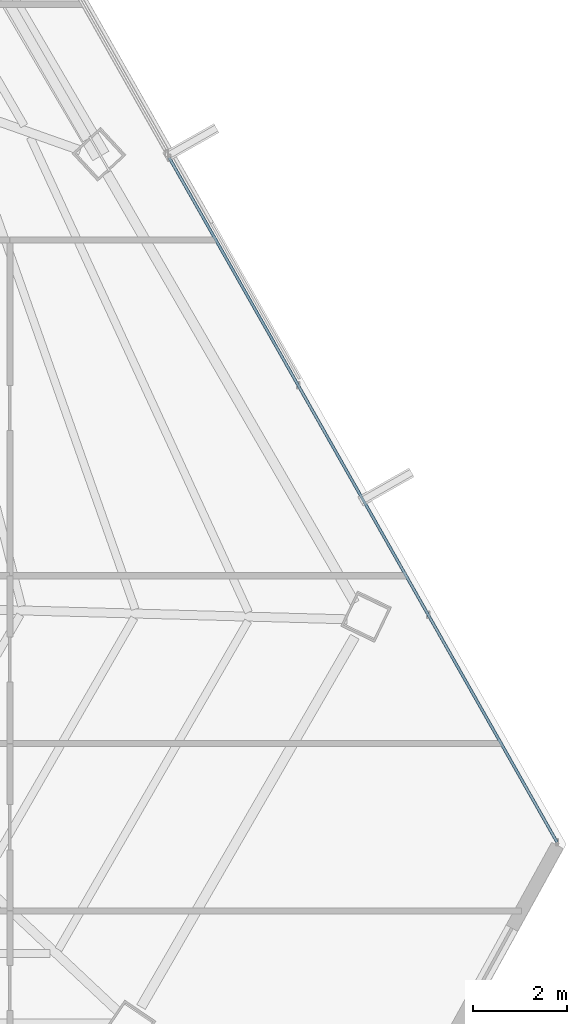
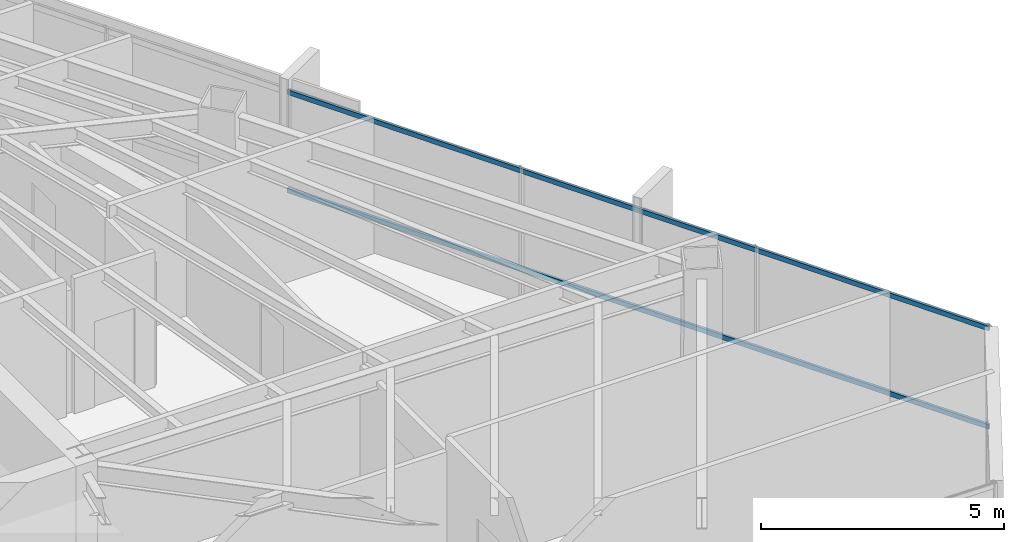
# One storey, part 23 of 42: 2 members, 1 element without a shape of its own.
"""IFC4 building model written with IfcOpenShell, lengths in metres."""

import ifcopenshell
import ifcopenshell.guid

model = None  # the IFC model being written
_history = None  # IfcOwnerHistory: only IFC2X3 demands one
_inside = {}  # id of a spatial element -> (the spatial element, [elements in it])
_under = {}  # id of a project, library or spatial element -> (it, [spatial elements below it])
_declared = {}  # id of a project -> (the project, [libraries it declares])
_typed = {}  # id of a type object -> (the type object, [elements of that type])
_made_of = {}  # id of a material, layer set ... -> (it, [elements and type objects made of it])


def new_model(schema):
    """Start an empty IFC model of exactly this schema.

    Asked for "IFC4X3", IfcOpenShell would pick the latest addendum, in which some entities
    have other attributes; the version numbers below select the first issue.
    IFC2X3 requires an IfcOwnerHistory on every rooted entity: one is made here for all.
    """
    global model, _history
    if schema == "IFC4X3":
        model = ifcopenshell.file(schema_version=(4, 3, 0, 0))
    else:
        model = ifcopenshell.file(schema=schema)
    _inside.clear()
    _under.clear()
    _declared.clear()
    _typed.clear()
    _made_of.clear()
    _history = None
    if model.schema == "IFC2X3":
        org = make("IfcOrganization", Name="unknown")
        user = make(
            "IfcPersonAndOrganization",
            ThePerson=make("IfcPerson", FamilyName="unknown"),
            TheOrganization=org,
        )
        app = make(
            "IfcApplication",
            ApplicationDeveloper=org,
            Version="unknown",
            ApplicationFullName="unknown",
            ApplicationIdentifier="unknown",
        )
        _history = make(
            "IfcOwnerHistory",
            OwningUser=user,
            OwningApplication=app,
            ChangeAction="ADDED",
            CreationDate=0,
        )
    return model


def make(cls, **values):
    """One entity of the class cls with the attributes given. An attribute that is None is left unset."""
    return model.create_entity(
        cls, **{name: value for name, value in values.items() if value is not None}
    )


def rooted(cls, **values):
    """An entity with a GlobalId (a new one), such as an element, a storey or a relation."""
    return make(cls, GlobalId=ifcopenshell.guid.new(), OwnerHistory=_history, **values)


def si_unit(unit_type, name, prefix=None):
    """IfcSIUnit, for example si_unit("LENGTHUNIT", "METRE", prefix="MILLI")."""
    return make("IfcSIUnit", UnitType=unit_type, Prefix=prefix, Name=name)


def assignment(units):
    """IfcUnitAssignment: the units of a project."""
    return None if units is None else make("IfcUnitAssignment", Units=units)


def point(xyz):
    """IfcCartesianPoint."""
    return None if xyz is None else make("IfcCartesianPoint", Coordinates=xyz)


def direction(xyz):
    """IfcDirection."""
    return None if xyz is None else make("IfcDirection", DirectionRatios=xyz)


def frame(location, z_axis=None, x_axis=None):
    """IfcAxis2Placement3D, a coordinate frame: its origin and axes. An axis left out is left unset."""
    return make(
        "IfcAxis2Placement3D",
        Location=point(location),
        Axis=direction(z_axis),
        RefDirection=direction(x_axis),
    )


def frame_2d(location, x_axis=None):
    """IfcAxis2Placement2D, a coordinate frame in the plane: its origin and x axis."""
    return make(
        "IfcAxis2Placement2D", Location=point(location), RefDirection=direction(x_axis)
    )


def origin():
    """The frame at (0, 0, 0) with its axes left unset."""
    return frame((0.0, 0.0, 0.0))


def origin_2d():
    """The frame at (0, 0) in the plane with its x axis left unset."""
    return frame_2d((0.0, 0.0))


def place(relative_to, where):
    """IfcLocalPlacement: puts the frame where relative to a parent placement (None: the world)."""
    return make(
        "IfcLocalPlacement", PlacementRelTo=relative_to, RelativePlacement=where
    )


def context(
    kind, dimensions, precision=None, world=None, true_north=None, identifier=None
):
    """IfcGeometricRepresentationContext, for example the 3D "Model" context."""
    return make(
        "IfcGeometricRepresentationContext",
        ContextIdentifier=identifier,
        ContextType=kind,
        CoordinateSpaceDimension=dimensions,
        Precision=precision,
        WorldCoordinateSystem=world,
        TrueNorth=true_north,
    )


def subcontext(parent, identifier, kind, view, scale=None):
    """IfcGeometricRepresentationSubContext, for example "Body" below "Model"."""
    return make(
        "IfcGeometricRepresentationSubContext",
        ContextIdentifier=identifier,
        ContextType=kind,
        ParentContext=parent,
        TargetScale=scale,
        TargetView=view,
    )


def project(units=None, contexts=None):
    """IfcProject with its units and contexts."""
    return rooted(
        "IfcProject",
        Name="project",
        RepresentationContexts=contexts,
        UnitsInContext=assignment(units),
    )


def spatial(cls, under=None, at=None, **own):
    """A site, building, storey or space (cls), placed at a placement, below another one or the project."""
    s = rooted(cls, ObjectPlacement=at, **own)
    if under is not None:
        _under.setdefault(under.id(), (under, []))[1].append(s)
    return s


def profile(cls, at=None, kind="AREA", **sizes):
    """A parametric profile (cls). Its sizes go by their IFC names, for example OverallWidth=200.0."""
    return make(cls, ProfileType=kind, Position=at, **sizes)


def hollow_rectangle(**sizes):
    """IfcRectangleHollowProfileDef."""
    return profile("IfcRectangleHollowProfileDef", **sizes)


def extrude(swept, where, along, depth):
    """IfcExtrudedAreaSolid: the profile swept, set in the frame where, extruded along a direction by depth."""
    return make(
        "IfcExtrudedAreaSolid",
        SweptArea=swept,
        Position=where,
        ExtrudedDirection=direction(along),
        Depth=depth,
    )


def shape(context_of_items, identifier, shape_type, items):
    """IfcShapeRepresentation: the items that make up one representation, for example the "Body"."""
    return make(
        "IfcShapeRepresentation",
        ContextOfItems=context_of_items,
        RepresentationIdentifier=identifier,
        RepresentationType=shape_type,
        Items=items,
    )


def source(mapping_origin, context_of_items, identifier, shape_type, items):
    """IfcRepresentationMap: a shape defined once, which mapped items show again and again."""
    return make(
        "IfcRepresentationMap",
        MappingOrigin=mapping_origin,
        MappedRepresentation=shape(context_of_items, identifier, shape_type, items),
    )


def transform(
    local_origin,
    x_axis=None,
    y_axis=None,
    z_axis=None,
    scale=None,
    scale2=None,
    scale3=None,
    uniform=True,
):
    """IfcCartesianTransformationOperator3D, or its non-uniform kind. x_axis, y_axis, z_axis: its Axis1, 2, 3."""
    if uniform:
        return make(
            "IfcCartesianTransformationOperator3D",
            Axis1=direction(x_axis),
            Axis2=direction(y_axis),
            LocalOrigin=point(local_origin),
            Scale=scale,
            Axis3=direction(z_axis),
        )
    return make(
        "IfcCartesianTransformationOperator3DnonUniform",
        Axis1=direction(x_axis),
        Axis2=direction(y_axis),
        LocalOrigin=point(local_origin),
        Scale=scale,
        Axis3=direction(z_axis),
        Scale2=scale2,
        Scale3=scale3,
    )


def mapped(mapping_source, mapping_target):
    """IfcMappedItem: shows the shape of a source again, moved by a transform."""
    return make(
        "IfcMappedItem", MappingSource=mapping_source, MappingTarget=mapping_target
    )


def material(Name=None, Category=None):
    """IfcMaterial."""
    return make("IfcMaterial", Name=Name, Category=Category)


def material_profile(
    of_material, cross_section, Name=None, Category=None, Priority=None
):
    """IfcMaterialProfile: a cross section and its material."""
    return make(
        "IfcMaterialProfile",
        Name=Name,
        Material=of_material,
        Profile=cross_section,
        Priority=Priority,
        Category=Category,
    )


def profile_set(profiles, Name=None, composite=None):
    """IfcMaterialProfileSet."""
    return make(
        "IfcMaterialProfileSet",
        Name=Name,
        MaterialProfiles=profiles,
        CompositeProfile=composite,
    )


def made_of(thing, what):
    """Note that an element or type object is made of a material, layer set ...; save() writes the relation."""
    if what is not None:
        _made_of.setdefault(what.id(), (what, []))[1].append(thing)
    return thing


def type_object(cls, material=None, **own):
    """A type object (cls), such as IfcWallType, which elements share."""
    return made_of(rooted(cls, **own), material)


def type_shapes(of_type, sources):
    """Give a type object the sources (RepresentationMaps) that its elements show as mapped items."""
    of_type.RepresentationMaps = sources


def element(
    cls,
    number,
    at=None,
    inside=None,
    cuts=None,
    type_object=None,
    material=None,
    context=None,
    identifier="Body",
    shape_type=None,
    held_by="IfcProductDefinitionShape",
    body=None,
    shapes=None,
    **own,
):
    """One element of the class cls, such as IfcWall. Its Tag is "e" and its number.

    at: its placement. inside: the storey or other place that contains it. cuts: it is an
    opening in that element (IfcRelVoidsElement). A single representation is given by context,
    identifier, shape_type and body (its items); several are given by shapes. held_by: the class
    of the entity that holds the representations. save() writes the other relations.
    """
    e = rooted(cls, Tag="e%d" % number, ObjectPlacement=at, **own)
    if body is not None:
        shapes = [shape(context, identifier, shape_type, body)]
    if shapes is not None:
        e.Representation = make(held_by, Representations=shapes)
    if inside is not None:
        _inside.setdefault(inside.id(), (inside, []))[1].append(e)
    if cuts is not None:
        rooted(
            "IfcRelVoidsElement", RelatingBuildingElement=cuts, RelatedOpeningElement=e
        )
    if type_object is not None:
        _typed.setdefault(type_object.id(), (type_object, []))[1].append(e)
    return made_of(e, material)


def aggregate(whole, parts):
    """IfcRelAggregates: a whole, such as a stair, and the parts it consists of."""
    return rooted("IfcRelAggregates", RelatingObject=whole, RelatedObjects=parts)


def save(model, path):
    """Write the relations noted so far, then the file.

    IfcRelAggregates (storeys below a building ...), IfcRelContainedInSpatialStructure (elements
    in a storey), IfcRelDefinesByType, IfcRelAssociatesMaterial and IfcRelDeclares: one each for
    every whole, place, type object, material and project.
    """
    for whole, parts in _under.values():
        aggregate(whole, parts)
    for where, things in _inside.values():
        rooted(
            "IfcRelContainedInSpatialStructure",
            RelatedElements=things,
            RelatingStructure=where,
        )
    for kind, things in _typed.values():
        rooted("IfcRelDefinesByType", RelatedObjects=things, RelatingType=kind)
    for what, things in _made_of.values():
        rooted("IfcRelAssociatesMaterial", RelatedObjects=things, RelatingMaterial=what)
    for by, libraries in _declared.values():
        rooted("IfcRelDeclares", RelatingContext=by, RelatedDefinitions=libraries)
    model.write(path)


model = new_model("IFC4")

# Units and contexts
model_context = context("Model", 3, precision=1e-05, world=origin(), true_north=direction((0.0, 1.0)))
body_context = subcontext(model_context, "Body", "Model", "MODEL_VIEW")
ifc_project = project(units=[si_unit("LENGTHUNIT", "METRE"), si_unit("AREAUNIT", "SQUARE_METRE"), si_unit("VOLUMEUNIT", "CUBIC_METRE"), si_unit("PLANEANGLEUNIT", "RADIAN"), si_unit("MASSUNIT", "GRAM", prefix="KILO")], contexts=[model_context])

# Site, building, storey
site_placement = place(None, origin())
site = spatial("IfcSite", under=ifc_project, at=site_placement, CompositionType="ELEMENT")
building_placement = place(site_placement, origin())
building = spatial("IfcBuilding", under=site, at=building_placement, Name="Caelisora Broadcast Tower", CompositionType="ELEMENT")
storey_placement = place(building_placement, frame((0.0, 0.0, 205.949951171875)))
storey = spatial("IfcBuildingStorey", under=building, at=storey_placement, Name="L54", CompositionType="ELEMENT", Elevation=205.949951171875)

# Curtain wall, members
ifc_material_1 = material(Name="Unitised Aluminium and Low-E Glass Curtain Wall", Category="glass")
curtain_wall_type = type_object("IfcCurtainWallType", Name="CW-Z4", PredefinedType="NOTDEFINED", material=ifc_material_1)
curtain_wall_placement = place(storey_placement, origin())
curtain_wall = element("IfcCurtainWall", 1, at=curtain_wall_placement, inside=storey, type_object=curtain_wall_type, Name="L54 curtain wall CW-Z4", PredefinedType="NOTDEFINED")
ifc_material_2 = material(Name="Aluminium 6063-T6 Anodised Terracotta Bronze", Category="aluminium")
ifc_material_profile = material_profile(ifc_material_2, hollow_rectangle(XDim=0.06005859375, YDim=0.1201171875, WallThickness=0.0029296875, at=origin_2d()), Name="Aluminium 6063-T6 Anodised Terracotta Bronze")
ifc_profile_set = profile_set([ifc_material_profile], Name="Aluminium 6063-T6 Anodised Terracotta Bronze")
member_type = type_object("IfcMemberType", Name="CWT-03", PredefinedType="USERDEFINED", material=ifc_profile_set)
shared_shape = source(origin(), body_context, "Body", "SweptSolid", [
    extrude(hollow_rectangle(XDim=0.06005859375, YDim=0.1201171875, WallThickness=0.0029296875, at=origin_2d()), origin(), (0.0, 0.0, 1.0), 16.735595703125),
])
type_shapes(member_type, [shared_shape])
member_1_placement = place(storey_placement, frame((55.89208984375, 26.832275390625, 0.85009765625), z_axis=(0.492973187484, -0.870044502552, 0.0), x_axis=(0.870044502552, 0.492973187484, 0.0)))
member_1 = element("IfcMember", 2, at=member_1_placement, type_object=member_type, Name="L54-CW-B03 transom #1", ObjectType="TRANSOM", PredefinedType="USERDEFINED", context=body_context, shape_type="MappedRepresentation", body=[
    mapped(shared_shape, transform((0.0, 0.0, 0.0), scale=1.0)),
])
member_2_placement = place(storey_placement, frame((55.89208984375, 26.832275390625, 3.320068359375), z_axis=(0.492973187484, -0.870044502552, 0.0), x_axis=(0.870044502552, 0.492973187484, 0.0)))
member_2 = element("IfcMember", 3, at=member_2_placement, type_object=member_type, Name="L54-CW-B03 transom #2", ObjectType="TRANSOM", PredefinedType="USERDEFINED", context=body_context, shape_type="MappedRepresentation", body=[
    mapped(shared_shape, transform((0.0, 0.0, 0.0), scale=1.0)),
])
aggregate(curtain_wall, [member_1, member_2])

save(model, "model.ifc")
